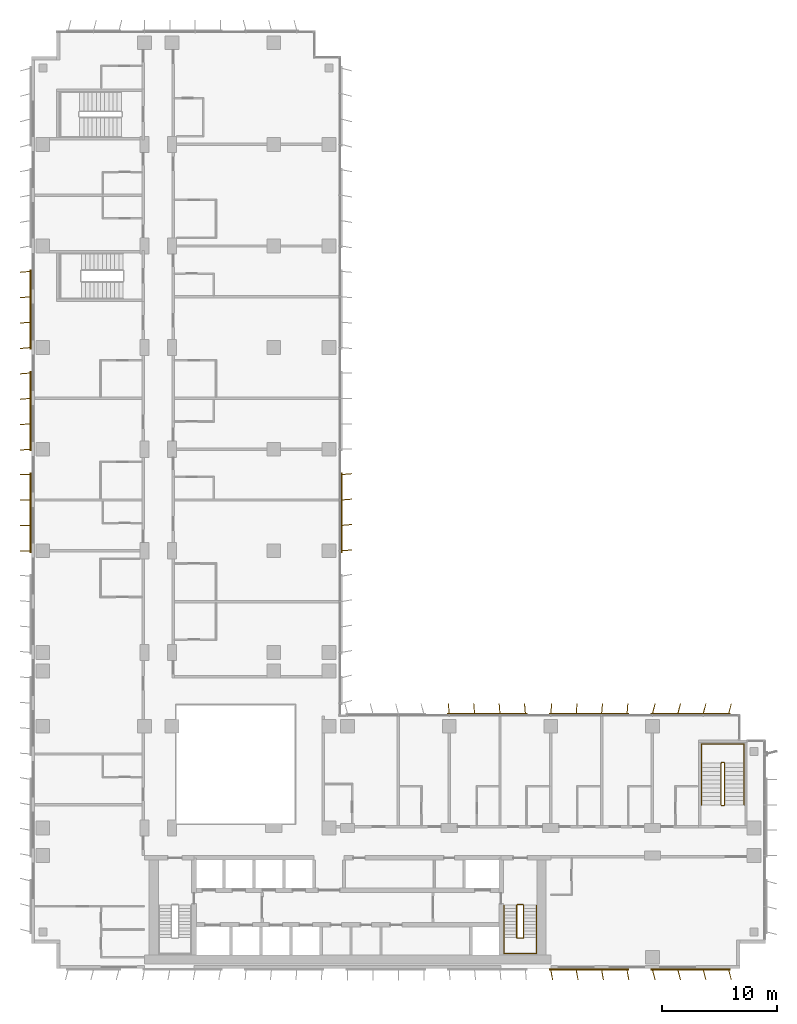
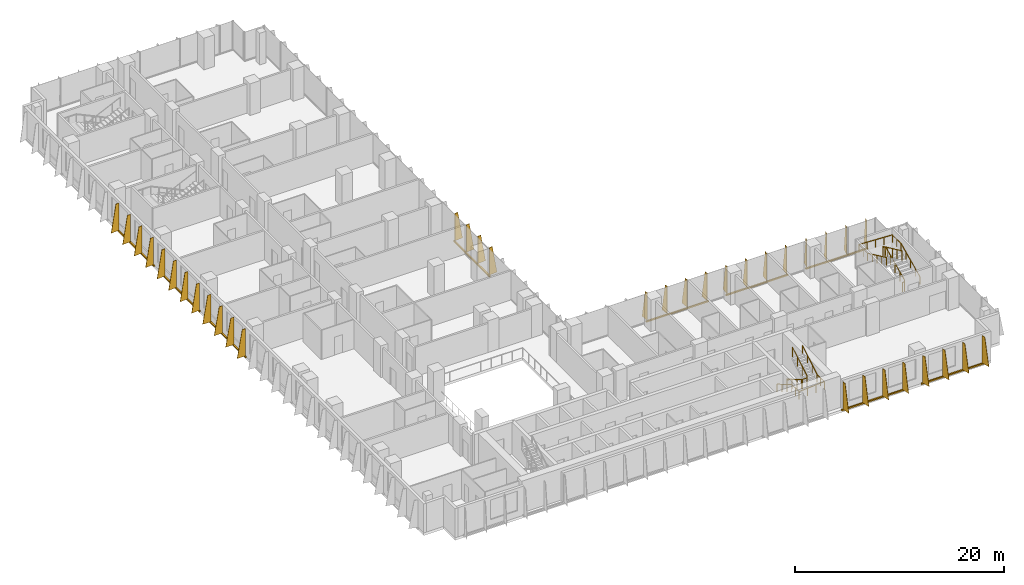
# One storey, part 20 of 22: 9 shading devices, 4 railings.
"""IFC4 building model written with IfcOpenShell, lengths in metres."""

from ifc_helpers import new_model, si_unit, direction, frame, origin, origin_2d, place, context, subcontext, project, spatial, polyline, rectangle, circle, outline, extrude, source, transform, mapped, material, layer, layer_set, type_object, element, save


model = new_model("IFC4")

# Units and contexts
model_context = context("Model", 3, precision=1e-05, world=origin(), true_north=direction((0.0, 1.0)))
body_context = subcontext(model_context, "Body", "Model", "MODEL_VIEW")
ifc_project = project(units=[si_unit("LENGTHUNIT", "METRE"), si_unit("AREAUNIT", "SQUARE_METRE"), si_unit("VOLUMEUNIT", "CUBIC_METRE"), si_unit("PLANEANGLEUNIT", "RADIAN"), si_unit("MASSUNIT", "GRAM", prefix="KILO")], contexts=[model_context])

# Site, building, storey
site_placement = place(None, origin())
site = spatial("IfcSite", under=ifc_project, at=site_placement, CompositionType="ELEMENT")
building_placement = place(site_placement, origin())
building = spatial("IfcBuilding", under=site, at=building_placement, Name="Kemantara Hotel Tower", CompositionType="ELEMENT")
storey_placement = place(building_placement, frame((0.0, 0.0, 111.10009765625)))
storey = spatial("IfcBuildingStorey", under=building, at=storey_placement, Name="L26", CompositionType="ELEMENT", Elevation=111.10009765625)

# Railings
ifc_material_1 = material(Name="Stainless steel balustrade", Category="steel")
railing_type_1 = type_object("IfcRailingType", Name="Stair guard 1100 mm", PredefinedType="GUARDRAIL", material=ifc_material_1)
railing_1_placement = place(storey_placement, frame((42.64990234375, 5.5, 3.699951171875)))
element("IfcRailing", 1, at=railing_1_placement, inside=storey, type_object=railing_type_1, Name="L26 ST2 stair guard 1", PredefinedType="GUARDRAIL", context=body_context, shape_type="SweptSolid", body=[
    extrude(circle(Radius=0.02392578125, at=origin_2d()), frame((0.0, 0.0, 1.076171875), z_axis=(0.0, -0.857242210791, -0.514913383045), x_axis=(1.0, 0.0, 0.0)), (0.0, 0.0, 1.0), 3.266357421875),
    extrude(circle(Radius=0.02392578125, at=origin_2d()), frame((0.0, -2.800048828125, -0.60595703125), z_axis=(-0.273006030465, -0.27434429532, -0.922064485248), x_axis=(0.708833529934, -0.705375805398, 0.0)), (0.0, 0.0, 1.0), 0.182373046875),
    extrude(circle(Radius=0.02392578125, at=origin_2d()), frame((-0.0498046875, -2.85009765625, -0.77392578125), z_axis=(-1.0, 0.0, 0.0), x_axis=(0.0, -1.0, 0.0)), (0.0, 0.0, 1.0), 0.5),
    extrude(circle(Radius=0.02392578125, at=origin_2d()), frame((-0.5498046875, -2.85009765625, -0.77392578125), z_axis=(-0.707106781187, 0.707106781187, 0.0), x_axis=(-0.707106781187, -0.707106781187, 0.0)), (0.0, 0.0, 1.0), 0.07080078125),
    extrude(circle(Radius=0.02392578125, at=origin_2d()), frame((-0.599853515625, -2.800048828125, -0.77392578125), z_axis=(0.0, 0.857242210791, -0.514913383045), x_axis=(-1.0, 0.0, 0.0)), (0.0, 0.0, 1.0), 3.266357421875),
    extrude(circle(Radius=0.02392578125, at=origin_2d()), frame((-0.599853515625, 0.0, -2.4560546875), z_axis=(0.274582412415, 0.274582412415, -0.921525364591), x_axis=(-0.707106781187, 0.707106781187, 0.0)), (0.0, 0.0, 1.0), 0.182373046875),
    extrude(circle(Radius=0.02392578125, at=origin_2d()), frame((-0.5498046875, 0.050048828125, -2.6240234375), z_axis=(1.0, 0.0, 0.0), x_axis=(0.0, 1.0, 0.0)), (0.0, 0.0, 1.0), 0.5),
    extrude(circle(Radius=0.02099609375, at=origin_2d()), origin(), (0.0, 0.0, 1.0), 1.052001953125),
    extrude(circle(Radius=0.02099609375, at=origin_2d()), frame((0.0, -0.933349609375, -0.560546875)), (0.0, 0.0, 1.0), 1.052001953125),
    extrude(circle(Radius=0.02099609375, at=origin_2d()), frame((0.0, -1.86669921875, -1.121337890625)), (0.0, 0.0, 1.0), 1.052001953125),
    extrude(circle(Radius=0.02099609375, at=origin_2d()), frame((0.0, -2.800048828125, -1.681884765625)), (0.0, 0.0, 1.0), 1.052001953125),
    extrude(circle(Radius=0.02099609375, at=origin_2d()), frame((-0.0498046875, -2.85009765625, -1.85009765625)), (0.0, 0.0, 1.0), 1.052001953125),
    extrude(circle(Radius=0.02099609375, at=origin_2d()), frame((-0.5498046875, -2.85009765625, -1.85009765625)), (0.0, 0.0, 1.0), 1.052001953125),
    extrude(circle(Radius=0.02099609375, at=origin_2d()), frame((-0.599853515625, -2.800048828125, -1.85009765625)), (0.0, 0.0, 1.0), 1.052001953125),
    extrude(circle(Radius=0.02099609375, at=origin_2d()), frame((-0.599853515625, -1.86669921875, -2.41064453125)), (0.0, 0.0, 1.0), 1.052001953125),
    extrude(circle(Radius=0.02099609375, at=origin_2d()), frame((-0.599853515625, -0.933349609375, -2.971435546875)), (0.0, 0.0, 1.0), 1.052001953125),
    extrude(circle(Radius=0.02099609375, at=origin_2d()), frame((-0.599853515625, 0.0, -3.531982421875)), (0.0, 0.0, 1.0), 1.052001953125),
    extrude(circle(Radius=0.02099609375, at=origin_2d()), frame((-0.5498046875, 0.050048828125, -3.699951171875)), (0.0, 0.0, 1.0), 1.052001953125),
    extrude(circle(Radius=0.02099609375, at=origin_2d()), frame((-0.0498046875, 0.050048828125, -3.699951171875)), (0.0, 0.0, 1.0), 1.052001953125),
])
railing_2_placement = place(storey_placement, frame((59.75, 14.199951171875, 3.699951171875)))
element("IfcRailing", 2, at=railing_2_placement, inside=storey, type_object=railing_type_1, Name="L26 ST3 stair guard 1", PredefinedType="GUARDRAIL", context=body_context, shape_type="SweptSolid", body=[
    extrude(circle(Radius=0.02392578125, at=origin_2d()), frame((0.0, 0.0, 1.076171875), z_axis=(0.0, 0.906005689286, -0.423265508849), x_axis=(-1.0, 0.0, 0.0)), (0.0, 0.0, 1.0), 3.9736328125),
    extrude(circle(Radius=0.02392578125, at=origin_2d()), frame((0.0, 3.60009765625, -0.60595703125), z_axis=(0.274243871929, 0.274243871929, -0.92172696468), x_axis=(-0.707106781187, 0.707106781187, 0.0)), (0.0, 0.0, 1.0), 0.1826171875),
    extrude(circle(Radius=0.02392578125, at=origin_2d()), frame((0.050048828125, 3.650146484375, -0.77392578125), z_axis=(1.0, 0.0, 0.0), x_axis=(0.0, 1.0, 0.0)), (0.0, 0.0, 1.0), 0.199951171875),
    extrude(circle(Radius=0.02392578125, at=origin_2d()), frame((0.25, 3.650146484375, -0.77392578125), z_axis=(0.707106781187, -0.707106781187, 0.0), x_axis=(0.707106781187, 0.707106781187, 0.0)), (0.0, 0.0, 1.0), 0.07080078125),
    extrude(circle(Radius=0.02392578125, at=origin_2d()), frame((0.300048828125, 3.60009765625, -0.77392578125), z_axis=(0.0, -0.906005689286, -0.423265508849), x_axis=(1.0, 0.0, 0.0)), (0.0, 0.0, 1.0), 3.9736328125),
    extrude(circle(Radius=0.02392578125, at=origin_2d()), frame((0.300048828125, 0.0, -2.4560546875), z_axis=(-0.274582412415, -0.274582412415, -0.921525364591), x_axis=(0.707106781187, -0.707106781187, 0.0)), (0.0, 0.0, 1.0), 0.182373046875),
    extrude(circle(Radius=0.02392578125, at=origin_2d()), frame((0.25, -0.050048828125, -2.6240234375), z_axis=(-1.0, 0.0, 0.0), x_axis=(0.0, -1.0, 0.0)), (0.0, 0.0, 1.0), 0.199951171875),
    extrude(circle(Radius=0.02099609375, at=origin_2d()), origin(), (0.0, 0.0, 1.0), 1.052001953125),
    extrude(circle(Radius=0.02099609375, at=origin_2d()), frame((0.0, 0.89990234375, -0.42041015625)), (0.0, 0.0, 1.0), 1.052001953125),
    extrude(circle(Radius=0.02099609375, at=origin_2d()), frame((0.0, 1.800048828125, -0.8408203125)), (0.0, 0.0, 1.0), 1.052001953125),
    extrude(circle(Radius=0.02099609375, at=origin_2d()), frame((0.0, 2.7001953125, -1.261474609375)), (0.0, 0.0, 1.0), 1.052001953125),
    extrude(circle(Radius=0.02099609375, at=origin_2d()), frame((0.0, 3.60009765625, -1.681884765625)), (0.0, 0.0, 1.0), 1.052001953125),
    extrude(circle(Radius=0.02099609375, at=origin_2d()), frame((0.050048828125, 3.650146484375, -1.85009765625)), (0.0, 0.0, 1.0), 1.052001953125),
    extrude(circle(Radius=0.02099609375, at=origin_2d()), frame((0.25, 3.650146484375, -1.85009765625)), (0.0, 0.0, 1.0), 1.052001953125),
    extrude(circle(Radius=0.02099609375, at=origin_2d()), frame((0.300048828125, 3.60009765625, -1.85009765625)), (0.0, 0.0, 1.0), 1.052001953125),
    extrude(circle(Radius=0.02099609375, at=origin_2d()), frame((0.300048828125, 2.7001953125, -2.2705078125)), (0.0, 0.0, 1.0), 1.052001953125),
    extrude(circle(Radius=0.02099609375, at=origin_2d()), frame((0.300048828125, 1.800048828125, -2.69091796875)), (0.0, 0.0, 1.0), 1.052001953125),
    extrude(circle(Radius=0.02099609375, at=origin_2d()), frame((0.300048828125, 0.89990234375, -3.111572265625)), (0.0, 0.0, 1.0), 1.052001953125),
    extrude(circle(Radius=0.02099609375, at=origin_2d()), frame((0.300048828125, 0.0, -3.531982421875)), (0.0, 0.0, 1.0), 1.052001953125),
    extrude(circle(Radius=0.02099609375, at=origin_2d()), frame((0.25, -0.050048828125, -3.699951171875)), (0.0, 0.0, 1.0), 1.052001953125),
    extrude(circle(Radius=0.02099609375, at=origin_2d()), frame((0.050048828125, -0.050048828125, -3.699951171875)), (0.0, 0.0, 1.0), 1.052001953125),
])
railing_type_2 = type_object("IfcRailingType", Name="Stair handrail 900 mm", PredefinedType="HANDRAIL", material=ifc_material_1)
railing_3_placement = place(storey_placement, frame((40.949951171875, 5.5, 0.16796875)))
element("IfcRailing", 3, at=railing_3_placement, inside=storey, type_object=railing_type_2, Name="L26 ST2 stair handrail 1", PredefinedType="HANDRAIL", context=body_context, shape_type="SweptSolid", body=[
    extrude(circle(Radius=0.02392578125, at=origin_2d()), frame((0.0, 0.0, 0.8759765625), z_axis=(0.0, -0.857242210791, 0.514913383045), x_axis=(1.0, 0.0, 0.0)), (0.0, 0.0, 1.0), 3.266357421875),
    extrude(circle(Radius=0.02392578125, at=origin_2d()), frame((0.0, -2.800048828125, 2.5576171875), z_axis=(0.0, -1.0, 0.0), x_axis=(1.0, 0.0, 0.0)), (0.0, 0.0, 1.0), 1.3798828125),
    extrude(circle(Radius=0.02392578125, at=origin_2d()), frame((0.0, -4.179931640625, 2.5576171875), z_axis=(0.998200367801, 0.0, 0.059966871865), x_axis=(0.0, 1.0, 0.0)), (0.0, 0.0, 1.0), 2.80517578125),
    extrude(circle(Radius=0.02392578125, at=origin_2d()), frame((2.800048828125, -4.179931640625, 2.72607421875), z_axis=(0.0, 1.0, 0.0), x_axis=(-1.0, 0.0, 0.0)), (0.0, 0.0, 1.0), 1.3798828125),
    extrude(circle(Radius=0.02392578125, at=origin_2d()), frame((2.800048828125, -2.800048828125, 2.72607421875), z_axis=(0.0, 0.857242210791, 0.514913383045), x_axis=(-1.0, 0.0, 0.0)), (0.0, 0.0, 1.0), 3.266357421875),
    extrude(circle(Radius=0.02099609375, at=origin_2d()), origin(), (0.0, 0.0, 1.0), 0.851806640625),
    extrude(circle(Radius=0.02099609375, at=origin_2d()), frame((0.0, -0.933349609375, 0.560546875)), (0.0, 0.0, 1.0), 0.851806640625),
    extrude(circle(Radius=0.02099609375, at=origin_2d()), frame((0.0, -1.86669921875, 1.121337890625)), (0.0, 0.0, 1.0), 0.851806640625),
    extrude(circle(Radius=0.02099609375, at=origin_2d()), frame((0.0, -2.800048828125, 1.681884765625)), (0.0, 0.0, 1.0), 0.851806640625),
    extrude(circle(Radius=0.02099609375, at=origin_2d()), frame((0.0, -3.489990234375, 1.681884765625)), (0.0, 0.0, 1.0), 0.851806640625),
    extrude(circle(Radius=0.02099609375, at=origin_2d()), frame((0.0, -4.179931640625, 1.681884765625)), (0.0, 0.0, 1.0), 0.851806640625),
    extrude(circle(Radius=0.02099609375, at=origin_2d()), frame((0.933349609375, -4.179931640625, 1.738037109375)), (0.0, 0.0, 1.0), 0.851806640625),
    extrude(circle(Radius=0.02099609375, at=origin_2d()), frame((1.86669921875, -4.179931640625, 1.7939453125)), (0.0, 0.0, 1.0), 0.851806640625),
    extrude(circle(Radius=0.02099609375, at=origin_2d()), frame((2.800048828125, -4.179931640625, 1.85009765625)), (0.0, 0.0, 1.0), 0.851806640625),
    extrude(circle(Radius=0.02099609375, at=origin_2d()), frame((2.800048828125, -3.489990234375, 1.85009765625)), (0.0, 0.0, 1.0), 0.851806640625),
    extrude(circle(Radius=0.02099609375, at=origin_2d()), frame((2.800048828125, -2.800048828125, 1.85009765625)), (0.0, 0.0, 1.0), 0.851806640625),
    extrude(circle(Radius=0.02099609375, at=origin_2d()), frame((2.800048828125, -1.86669921875, 2.41064453125)), (0.0, 0.0, 1.0), 0.851806640625),
    extrude(circle(Radius=0.02099609375, at=origin_2d()), frame((2.800048828125, -0.933349609375, 2.971435546875)), (0.0, 0.0, 1.0), 0.851806640625),
    extrude(circle(Radius=0.02099609375, at=origin_2d()), frame((2.800048828125, 0.0, 3.531982421875)), (0.0, 0.0, 1.0), 0.851806640625),
])
railing_4_placement = place(storey_placement, frame((61.75, 14.199951171875, 0.16796875)))
element("IfcRailing", 4, at=railing_4_placement, inside=storey, type_object=railing_type_2, Name="L26 ST3 stair handrail 1", PredefinedType="HANDRAIL", context=body_context, shape_type="SweptSolid", body=[
    extrude(circle(Radius=0.02392578125, at=origin_2d()), frame((0.0, 0.0, 0.8759765625), z_axis=(0.0, 0.906005689286, 0.423265508849), x_axis=(-1.0, 0.0, 0.0)), (0.0, 0.0, 1.0), 3.9736328125),
    extrude(circle(Radius=0.02392578125, at=origin_2d()), frame((0.0, 3.60009765625, 2.5576171875), z_axis=(0.0, 1.0, 0.0), x_axis=(-1.0, 0.0, 0.0)), (0.0, 0.0, 1.0), 1.679931640625),
    extrude(circle(Radius=0.02392578125, at=origin_2d()), frame((0.0, 5.280029296875, 2.5576171875), z_axis=(-0.998968132438, 0.0, 0.045416631029), x_axis=(0.0, -1.0, 0.0)), (0.0, 0.0, 1.0), 3.703857421875),
    extrude(circle(Radius=0.02392578125, at=origin_2d()), frame((-3.699951171875, 5.280029296875, 2.72607421875), z_axis=(0.0, -1.0, 0.0), x_axis=(1.0, 0.0, 0.0)), (0.0, 0.0, 1.0), 1.679931640625),
    extrude(circle(Radius=0.02392578125, at=origin_2d()), frame((-3.699951171875, 3.60009765625, 2.72607421875), z_axis=(0.0, -0.906005689286, 0.423265508849), x_axis=(1.0, 0.0, 0.0)), (0.0, 0.0, 1.0), 3.9736328125),
    extrude(circle(Radius=0.02099609375, at=origin_2d()), origin(), (0.0, 0.0, 1.0), 0.851806640625),
    extrude(circle(Radius=0.02099609375, at=origin_2d()), frame((0.0, 0.89990234375, 0.42041015625)), (0.0, 0.0, 1.0), 0.851806640625),
    extrude(circle(Radius=0.02099609375, at=origin_2d()), frame((0.0, 1.800048828125, 0.8408203125)), (0.0, 0.0, 1.0), 0.851806640625),
    extrude(circle(Radius=0.02099609375, at=origin_2d()), frame((0.0, 2.7001953125, 1.261474609375)), (0.0, 0.0, 1.0), 0.851806640625),
    extrude(circle(Radius=0.02099609375, at=origin_2d()), frame((0.0, 3.60009765625, 1.681884765625)), (0.0, 0.0, 1.0), 0.851806640625),
    extrude(circle(Radius=0.02099609375, at=origin_2d()), frame((0.0, 4.43994140625, 1.681884765625)), (0.0, 0.0, 1.0), 0.851806640625),
    extrude(circle(Radius=0.02099609375, at=origin_2d()), frame((0.0, 5.280029296875, 1.681884765625)), (0.0, 0.0, 1.0), 0.851806640625),
    extrude(circle(Radius=0.02099609375, at=origin_2d()), frame((-0.925048828125, 5.280029296875, 1.723876953125)), (0.0, 0.0, 1.0), 0.851806640625),
    extrude(circle(Radius=0.02099609375, at=origin_2d()), frame((-1.85009765625, 5.280029296875, 1.76611328125)), (0.0, 0.0, 1.0), 0.851806640625),
    extrude(circle(Radius=0.02099609375, at=origin_2d()), frame((-2.77490234375, 5.280029296875, 1.80810546875)), (0.0, 0.0, 1.0), 0.851806640625),
    extrude(circle(Radius=0.02099609375, at=origin_2d()), frame((-3.699951171875, 5.280029296875, 1.85009765625)), (0.0, 0.0, 1.0), 0.851806640625),
    extrude(circle(Radius=0.02099609375, at=origin_2d()), frame((-3.699951171875, 4.43994140625, 1.85009765625)), (0.0, 0.0, 1.0), 0.851806640625),
    extrude(circle(Radius=0.02099609375, at=origin_2d()), frame((-3.699951171875, 3.60009765625, 1.85009765625)), (0.0, 0.0, 1.0), 0.851806640625),
    extrude(circle(Radius=0.02099609375, at=origin_2d()), frame((-3.699951171875, 2.7001953125, 2.2705078125)), (0.0, 0.0, 1.0), 0.851806640625),
    extrude(circle(Radius=0.02099609375, at=origin_2d()), frame((-3.699951171875, 1.800048828125, 2.69091796875)), (0.0, 0.0, 1.0), 0.851806640625),
    extrude(circle(Radius=0.02099609375, at=origin_2d()), frame((-3.699951171875, 0.89990234375, 3.111572265625)), (0.0, 0.0, 1.0), 0.851806640625),
    extrude(circle(Radius=0.02099609375, at=origin_2d()), frame((-3.699951171875, 0.0, 3.531982421875)), (0.0, 0.0, 1.0), 0.851806640625),
])

# Shading devices
ifc_material_2 = material(Name="Perforated aluminium plate 4 mm bronze anodised", Category="aluminium")
ifc_layer_1 = layer(ifc_material_2, 0.0400390625)
ifc_layer_set_1 = layer_set([ifc_layer_1], Name="Perforated aluminium plate 4 mm bronze anodised")
shading_device_type_1 = type_object("IfcShadingDeviceType", Name="SCREEN FIN CASSETTE, 4 BLADES AT -5.0 DEG, 3200 HIGH", PredefinedType="USERDEFINED", material=ifc_layer_set_1)
shared_shape_1 = source(origin(), body_context, "Body", "SweptSolid", [
    extrude(rectangle(XDim=6.89990234375, YDim=0.14990234375, at=origin_2d()), frame((3.300048828125, -0.074951171875, -0.14990234375), z_axis=(0.0, 0.0, 1.0), x_axis=(1.0, 0.0, 0.0)), (0.0, 0.0, 1.0), 0.14990234375),
    extrude(outline(polyline([(0.0, 0.0), (0.89990234375, 0.0), (0.35009765625, 3.199951171875), (0.0, 3.199951171875), (0.0, 0.0)])), frame((0.02001953125, -0.07666015625, 0.0), z_axis=(-0.996376129781, 0.085056498884, 0.0), x_axis=(-0.085056498884, -0.996376129781, 0.0)), (0.0, 0.0, 1.0), 0.040283203125),
    extrude(outline(polyline([(0.0, 0.0), (0.89990234375, 0.0), (0.35009765625, 3.199951171875), (0.0, 3.199951171875), (0.0, 0.0)])), frame((2.219970703125, -0.07666015625, 0.0), z_axis=(-0.996331773833, 0.085574508182, 0.0), x_axis=(-0.085574508182, -0.996331773833, 0.0)), (0.0, 0.0, 1.0), 0.0400390625),
    extrude(outline(polyline([(0.0, 0.0), (0.89990234375, 0.0), (0.35009765625, 3.199951171875), (0.0, 3.199951171875), (0.0, 0.0)])), frame((4.419921875, -0.07666015625, 0.0), z_axis=(-0.996331773833, 0.085574508182, 0.0), x_axis=(-0.085574508182, -0.996331773833, 0.0)), (0.0, 0.0, 1.0), 0.0400390625),
    extrude(outline(polyline([(0.0, 0.0), (0.89990234375, 0.0), (0.35009765625, 3.199951171875), (0.0, 3.199951171875), (0.0, 0.0)])), frame((6.619873046875, -0.07666015625, 0.0), z_axis=(-0.996331773833, 0.085574508182, 0.0), x_axis=(-0.085574508182, -0.996331773833, 0.0)), (0.0, 0.0, 1.0), 0.0400390625),
])
shading_device_1_placement = place(storey_placement, frame((51.60009765625, 22.0, 0.099853515625), z_axis=(0.0, 0.0, 1.0), x_axis=(-1.0, 0.0, 0.0)))
element("IfcShadingDevice", 5, at=shading_device_1_placement, inside=storey, type_object=shading_device_type_1, Name="SCREEN FIN CASSETTE L26 T2-R13-2", ObjectType="SCREEN FIN", PredefinedType="USERDEFINED", context=body_context, shape_type="MappedRepresentation", body=[
    mapped(shared_shape_1, transform((0.0, 0.0, 0.0))),
])
ifc_layer_2 = layer(ifc_material_2, 0.0400390625)
ifc_layer_set_2 = layer_set([ifc_layer_2], Name="Perforated aluminium plate 4 mm bronze anodised")
shading_device_type_2 = type_object("IfcShadingDeviceType", Name="SCREEN FIN CASSETTE, 4 BLADES AT +0.0 DEG, 3200 HIGH", PredefinedType="USERDEFINED", material=ifc_layer_set_2)
shared_shape_2 = source(origin(), body_context, "Body", "SweptSolid", [
    extrude(rectangle(XDim=6.89990234375, YDim=0.14990234375, at=origin_2d()), frame((3.300048828125, -0.074951171875, -0.14990234375), z_axis=(0.0, 0.0, 1.0), x_axis=(1.0, 0.0, 0.0)), (0.0, 0.0, 1.0), 0.14990234375),
    extrude(outline(polyline([(0.0, 0.0), (0.89990234375, 0.0), (0.35009765625, 3.199951171875), (0.0, 3.199951171875), (0.0, 0.0)])), frame((0.02001953125, -0.074951171875, 0.0), z_axis=(-1.0, 0.0, 0.0), x_axis=(0.0, -1.0, 0.0)), (0.0, 0.0, 1.0), 0.0400390625),
    extrude(outline(polyline([(0.0, 0.0), (0.89990234375, 0.0), (0.35009765625, 3.199951171875), (0.0, 3.199951171875), (0.0, 0.0)])), frame((2.219970703125, -0.074951171875, 0.0), z_axis=(-1.0, 0.0, 0.0), x_axis=(0.0, -1.0, 0.0)), (0.0, 0.0, 1.0), 0.0400390625),
    extrude(outline(polyline([(0.0, 0.0), (0.89990234375, 0.0), (0.35009765625, 3.199951171875), (0.0, 3.199951171875), (0.0, 0.0)])), frame((4.419921875, -0.074951171875, 0.0), z_axis=(-1.0, 0.0, 0.0), x_axis=(0.0, -1.0, 0.0)), (0.0, 0.0, 1.0), 0.0400390625),
    extrude(outline(polyline([(0.0, 0.0), (0.89990234375, 0.0), (0.35009765625, 3.199951171875), (0.0, 3.199951171875), (0.0, 0.0)])), frame((6.6201171875, -0.074951171875, 0.0), z_axis=(-1.0, 0.0, 0.0), x_axis=(0.0, -1.0, 0.0)), (0.0, 0.0, 1.0), 0.0400390625),
])
shading_device_2_placement = place(storey_placement, frame((0.0, 42.800048828125, 0.099853515625), z_axis=(0.0, 0.0, 1.0), x_axis=(0.0, -1.0, 0.0)))
element("IfcShadingDevice", 6, at=shading_device_2_placement, inside=storey, type_object=shading_device_type_2, Name="SCREEN FIN CASSETTE L26 T2-R04-5", ObjectType="SCREEN FIN", PredefinedType="USERDEFINED", context=body_context, shape_type="MappedRepresentation", body=[
    mapped(shared_shape_2, transform((0.0, 0.0, 0.0))),
])
ifc_layer_3 = layer(ifc_material_2, 0.0400390625)
ifc_layer_set_3 = layer_set([ifc_layer_3], Name="Perforated aluminium plate 4 mm bronze anodised")
shading_device_type_3 = type_object("IfcShadingDeviceType", Name="SCREEN FIN CASSETTE, 4 BLADES AT +5.0 DEG, 3200 HIGH", PredefinedType="USERDEFINED", material=ifc_layer_set_3)
shared_shape_3 = source(origin(), body_context, "Body", "SweptSolid", [
    extrude(rectangle(XDim=6.89990234375, YDim=0.14990234375, at=origin_2d()), frame((3.300048828125, -0.074951171875, -0.14990234375), z_axis=(0.0, 0.0, 1.0), x_axis=(1.0, 0.0, 0.0)), (0.0, 0.0, 1.0), 0.14990234375),
    extrude(outline(polyline([(0.0, 0.0), (0.89990234375, 0.0), (0.35009765625, 3.199951171875), (0.0, 3.199951171875), (0.0, 0.0)])), frame((0.02001953125, -0.0732421875, 0.0), z_axis=(-0.996376129781, -0.085056498884, 0.0), x_axis=(0.085056498884, -0.996376129781, 0.0)), (0.0, 0.0, 1.0), 0.040283203125),
    extrude(outline(polyline([(0.0, 0.0), (0.89990234375, 0.0), (0.35009765625, 3.199951171875), (0.0, 3.199951171875), (0.0, 0.0)])), frame((2.219970703125, -0.0732421875, 0.0), z_axis=(-0.996331773833, -0.085574508182, 0.0), x_axis=(0.085574508182, -0.996331773833, 0.0)), (0.0, 0.0, 1.0), 0.0400390625),
    extrude(outline(polyline([(0.0, 0.0), (0.89990234375, 0.0), (0.35009765625, 3.199951171875), (0.0, 3.199951171875), (0.0, 0.0)])), frame((4.419921875, -0.0732421875, 0.0), z_axis=(-0.996331773833, -0.085574508182, 0.0), x_axis=(0.085574508182, -0.996331773833, 0.0)), (0.0, 0.0, 1.0), 0.0400390625),
    extrude(outline(polyline([(0.0, 0.0), (0.89990234375, 0.0), (0.35009765625, 3.199951171875), (0.0, 3.199951171875), (0.0, 0.0)])), frame((6.619873046875, -0.0732421875, 0.0), z_axis=(-0.996331773833, -0.085574508182, 0.0), x_axis=(0.085574508182, -0.996331773833, 0.0)), (0.0, 0.0, 1.0), 0.0400390625),
])
for number, where, z_axis, x_axis, name in (
    (7, (0.0, 60.39990234375, 0.099853515625), (0.0, 0.0, 1.0), (0.0, -1.0, 0.0), "SCREEN FIN CASSETTE L26 T2-R04-3"),
    (8, (0.0, 51.60009765625, 0.099853515625), (0.0, 0.0, 1.0), (0.0, -1.0, 0.0), "SCREEN FIN CASSETTE L26 T2-R04-4"),
    (9, (42.800048828125, 22.0, 0.099853515625), (0.0, 0.0, 1.0), (-1.0, 0.0, 0.0), "SCREEN FIN CASSETTE L26 T2-R13-3"),
    (10, (26.800048828125, 36.199951171875, 0.099853515625), (0.0, 0.0, 1.0), (0.0, 1.0, 0.0), "SCREEN FIN CASSETTE L26 T2-R14-3"),
):
    element("IfcShadingDevice", number, at=place(storey_placement, frame(where, z_axis=z_axis, x_axis=x_axis)), inside=storey, type_object=shading_device_type_3, Name=name, ObjectType="SCREEN FIN", PredefinedType="USERDEFINED", context=body_context, shape_type="MappedRepresentation", body=[
        mapped(shared_shape_3, transform((0.0, 0.0, 0.0))),
    ])
ifc_layer_4 = layer(ifc_material_2, 0.0400390625)
ifc_layer_set_4 = layer_set([ifc_layer_4], Name="Perforated aluminium plate 4 mm bronze anodised")
shading_device_type_4 = type_object("IfcShadingDeviceType", Name="SCREEN FIN CASSETTE, 4 BLADES AT +10.0 DEG, 3200 HIGH", PredefinedType="USERDEFINED", material=ifc_layer_set_4)
shared_shape_4 = source(origin(), body_context, "Body", "SweptSolid", [
    extrude(rectangle(XDim=6.89990234375, YDim=0.14990234375, at=origin_2d()), frame((3.300048828125, -0.074951171875, -0.14990234375), z_axis=(0.0, 0.0, 1.0), x_axis=(1.0, 0.0, 0.0)), (0.0, 0.0, 1.0), 0.14990234375),
    extrude(outline(polyline([(0.0, 0.0), (0.89990234375, 0.0), (0.35009765625, 3.199951171875), (0.0, 3.199951171875), (0.0, 0.0)])), frame((0.019775390625, -0.071533203125, 0.0), z_axis=(-0.985389793052, -0.170314285219, 0.0), x_axis=(0.170314285219, -0.985389793052, 0.0)), (0.0, 0.0, 1.0), 0.0400390625),
    extrude(outline(polyline([(0.0, 0.0), (0.89990234375, 0.0), (0.35009765625, 3.199951171875), (0.0, 3.199951171875), (0.0, 0.0)])), frame((2.2197265625, -0.071533203125, 0.0), z_axis=(-0.98521175482, -0.171341174751, 0.0), x_axis=(0.171341174751, -0.98521175482, 0.0)), (0.0, 0.0, 1.0), 0.039794921875),
    extrude(outline(polyline([(0.0, 0.0), (0.89990234375, 0.0), (0.35009765625, 3.199951171875), (0.0, 3.199951171875), (0.0, 0.0)])), frame((4.419677734375, -0.071533203125, 0.0), z_axis=(-0.98521175482, -0.171341174751, 0.0), x_axis=(0.171341174751, -0.98521175482, 0.0)), (0.0, 0.0, 1.0), 0.039794921875),
    extrude(outline(polyline([(0.0, 0.0), (0.89990234375, 0.0), (0.35009765625, 3.199951171875), (0.0, 3.199951171875), (0.0, 0.0)])), frame((6.61962890625, -0.071533203125, 0.0), z_axis=(-0.98521175482, -0.171341174751, 0.0), x_axis=(0.171341174751, -0.98521175482, 0.0)), (0.0, 0.0, 1.0), 0.039794921875),
])
shading_device_3_placement = place(storey_placement, frame((45.0, 0.0, 0.099853515625), z_axis=(0.0, 0.0, 1.0), x_axis=(1.0, 0.0, 0.0)))
element("IfcShadingDevice", 11, at=shading_device_3_placement, inside=storey, type_object=shading_device_type_4, Name="SCREEN FIN CASSETTE L26 T2-R07-6", ObjectType="SCREEN FIN", PredefinedType="USERDEFINED", context=body_context, shape_type="MappedRepresentation", body=[
    mapped(shared_shape_4, transform((0.0, 0.0, 0.0))),
])
ifc_layer_5 = layer(ifc_material_2, 0.0400390625)
ifc_layer_set_5 = layer_set([ifc_layer_5], Name="Perforated aluminium plate 4 mm bronze anodised")
shading_device_type_5 = type_object("IfcShadingDeviceType", Name="SCREEN FIN CASSETTE, 4 BLADES AT +15.0 DEG, 3200 HIGH", PredefinedType="USERDEFINED", material=ifc_layer_set_5)
shared_shape_5 = source(origin(), body_context, "Body", "SweptSolid", [
    extrude(rectangle(XDim=6.89990234375, YDim=0.14990234375, at=origin_2d()), frame((3.300048828125, -0.074951171875, -0.14990234375), z_axis=(0.0, 0.0, 1.0), x_axis=(1.0, 0.0, 0.0)), (0.0, 0.0, 1.0), 0.14990234375),
    extrude(outline(polyline([(0.0, 0.0), (0.89990234375, 0.0), (0.35009765625, 3.199951171875), (0.0, 3.199951171875), (0.0, 0.0)])), frame((0.019287109375, -0.06982421875, 0.0), z_axis=(-0.966437683387, -0.256901156343, 0.0), x_axis=(0.256901156343, -0.966437683387, 0.0)), (0.0, 0.0, 1.0), 0.039794921875),
    extrude(outline(polyline([(0.0, 0.0), (0.89990234375, 0.0), (0.35009765625, 3.199951171875), (0.0, 3.199951171875), (0.0, 0.0)])), frame((2.21923828125, -0.06982421875, 0.0), z_axis=(-0.966437683387, -0.256901156343, 0.0), x_axis=(0.256901156343, -0.966437683387, 0.0)), (0.0, 0.0, 1.0), 0.039794921875),
    extrude(outline(polyline([(0.0, 0.0), (0.89990234375, 0.0), (0.35009765625, 3.199951171875), (0.0, 3.199951171875), (0.0, 0.0)])), frame((4.41943359375, -0.06982421875, 0.0), z_axis=(-0.966837822169, -0.255391122837, 0.0), x_axis=(0.255391122837, -0.966837822169, 0.0)), (0.0, 0.0, 1.0), 0.0400390625),
    extrude(outline(polyline([(0.0, 0.0), (0.89990234375, 0.0), (0.35009765625, 3.199951171875), (0.0, 3.199951171875), (0.0, 0.0)])), frame((6.619384765625, -0.06982421875, 0.0), z_axis=(-0.966837822169, -0.255391122837, 0.0), x_axis=(0.255391122837, -0.966837822169, 0.0)), (0.0, 0.0, 1.0), 0.0400390625),
])
shading_device_4_placement = place(storey_placement, frame((53.800048828125, 0.0, 0.099853515625), z_axis=(0.0, 0.0, 1.0), x_axis=(1.0, 0.0, 0.0)))
element("IfcShadingDevice", 12, at=shading_device_4_placement, inside=storey, type_object=shading_device_type_5, Name="SCREEN FIN CASSETTE L26 T2-R07-7", ObjectType="SCREEN FIN", PredefinedType="USERDEFINED", context=body_context, shape_type="MappedRepresentation", body=[
    mapped(shared_shape_5, transform((0.0, 0.0, 0.0))),
])
ifc_layer_6 = layer(ifc_material_2, 0.0400390625)
ifc_layer_set_6 = layer_set([ifc_layer_6], Name="Perforated aluminium plate 4 mm bronze anodised")
shading_device_type_6 = type_object("IfcShadingDeviceType", Name="SCREEN FIN CASSETTE, 4 BLADES AT -15.0 DEG, 3200 HIGH", PredefinedType="USERDEFINED", material=ifc_layer_set_6)
shared_shape_6 = source(origin(), body_context, "Body", "SweptSolid", [
    extrude(rectangle(XDim=6.89990234375, YDim=0.14990234375, at=origin_2d()), frame((3.300048828125, -0.074951171875, -0.14990234375), z_axis=(0.0, 0.0, 1.0), x_axis=(1.0, 0.0, 0.0)), (0.0, 0.0, 1.0), 0.14990234375),
    extrude(outline(polyline([(0.0, 0.0), (0.89990234375, 0.0), (0.35009765625, 3.199951171875), (0.0, 3.199951171875), (0.0, 0.0)])), frame((0.019287109375, -0.080078125, 0.0), z_axis=(-0.966437683387, 0.256901156343, 0.0), x_axis=(-0.256901156343, -0.966437683387, 0.0)), (0.0, 0.0, 1.0), 0.039794921875),
    extrude(outline(polyline([(0.0, 0.0), (0.89990234375, 0.0), (0.35009765625, 3.199951171875), (0.0, 3.199951171875), (0.0, 0.0)])), frame((2.21923828125, -0.080078125, 0.0), z_axis=(-0.966437683387, 0.256901156343, 0.0), x_axis=(-0.256901156343, -0.966437683387, 0.0)), (0.0, 0.0, 1.0), 0.039794921875),
    extrude(outline(polyline([(0.0, 0.0), (0.89990234375, 0.0), (0.35009765625, 3.199951171875), (0.0, 3.199951171875), (0.0, 0.0)])), frame((4.41943359375, -0.080078125, 0.0), z_axis=(-0.966837822169, 0.255391122837, 0.0), x_axis=(-0.255391122837, -0.966837822169, 0.0)), (0.0, 0.0, 1.0), 0.0400390625),
    extrude(outline(polyline([(0.0, 0.0), (0.89990234375, 0.0), (0.35009765625, 3.199951171875), (0.0, 3.199951171875), (0.0, 0.0)])), frame((6.619384765625, -0.080078125, 0.0), z_axis=(-0.966837822169, 0.255391122837, 0.0), x_axis=(-0.255391122837, -0.966837822169, 0.0)), (0.0, 0.0, 1.0), 0.0400390625),
])
shading_device_5_placement = place(storey_placement, frame((60.39990234375, 22.0, 0.099853515625), z_axis=(0.0, 0.0, 1.0), x_axis=(-1.0, 0.0, 0.0)))
element("IfcShadingDevice", 13, at=shading_device_5_placement, inside=storey, type_object=shading_device_type_6, Name="SCREEN FIN CASSETTE L26 T2-R13-1", ObjectType="SCREEN FIN", PredefinedType="USERDEFINED", context=body_context, shape_type="MappedRepresentation", body=[
    mapped(shared_shape_6, transform((0.0, 0.0, 0.0))),
])

save(model, "model.ifc")
